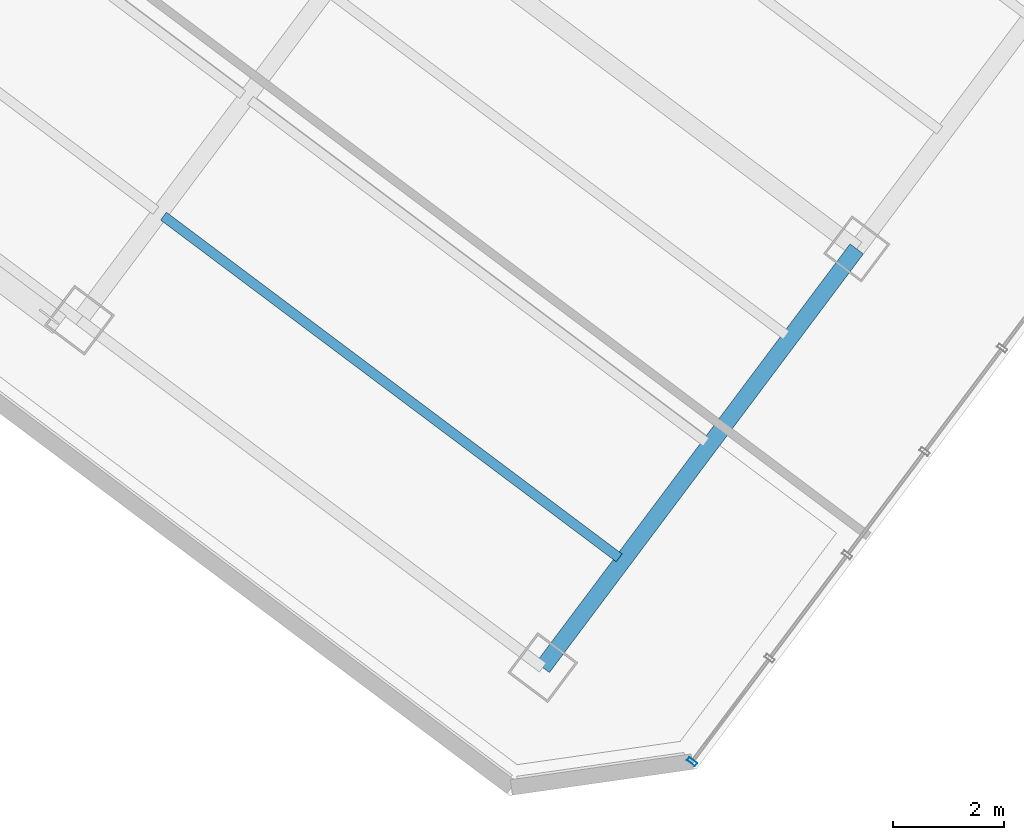
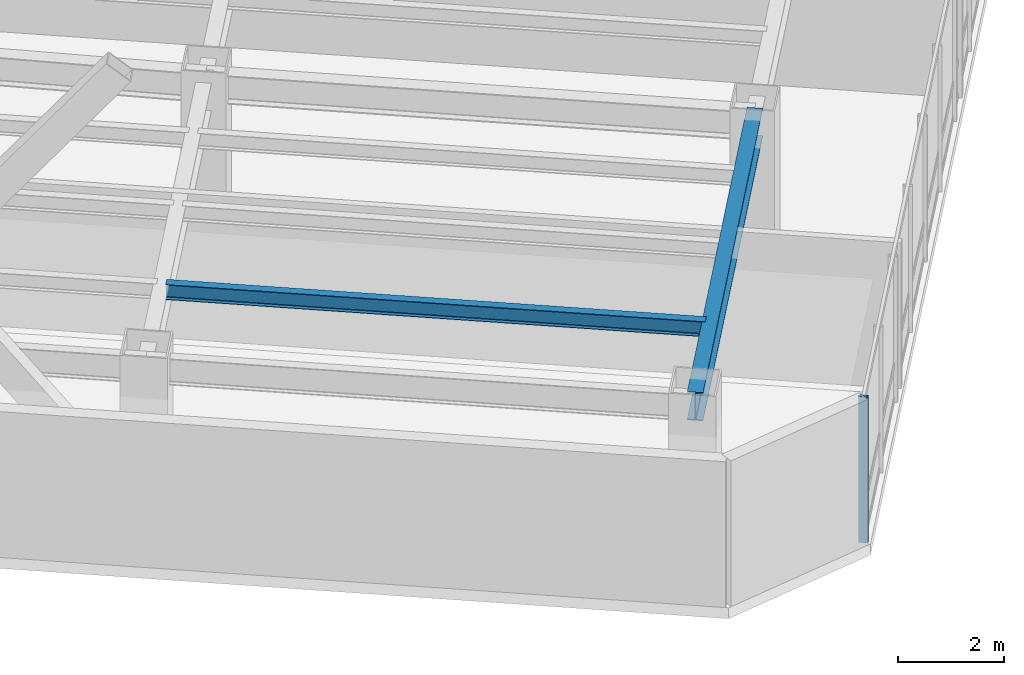
# One storey, part 6 of 29: 2 beams, 1 member, 1 element without a shape of its own.
"""IFC4 building model written with IfcOpenShell, lengths in metres."""

from ifc_helpers import new_model, si_unit, direction, frame, origin, origin_2d, place, context, subcontext, project, spatial, hollow_rectangle, i_section, extrude, material, layer, layer_set, material_profile, profile_set, type_object, element, aggregate, save


model = new_model("IFC4")

# Units and contexts
model_context = context("Model", 3, precision=1e-05, world=origin(), true_north=direction((0.0, 1.0)))
body_context = subcontext(model_context, "Body", "Model", "MODEL_VIEW")
ifc_project = project(units=[si_unit("LENGTHUNIT", "METRE"), si_unit("AREAUNIT", "SQUARE_METRE"), si_unit("VOLUMEUNIT", "CUBIC_METRE"), si_unit("PLANEANGLEUNIT", "RADIAN"), si_unit("MASSUNIT", "GRAM", prefix="KILO")], contexts=[model_context])

# Site, building, storey
site_placement = place(None, origin())
site = spatial("IfcSite", under=ifc_project, at=site_placement, CompositionType="ELEMENT")
building_placement = place(site_placement, origin())
building = spatial("IfcBuilding", under=site, at=building_placement, Name="Hatsunagi Terrace Concourse", CompositionType="ELEMENT")
storey_placement = place(building_placement, frame((0.0, 0.0, 119.25)))
storey = spatial("IfcBuildingStorey", under=building, at=storey_placement, Name="L31", CompositionType="ELEMENT", Elevation=119.25)

# Curtain wall, member
ifc_material_1 = material(Name="Anodised Aluminium Alloy 6063-T5", Category="aluminium")
ifc_layer = layer(ifc_material_1, 0.199951171875)
ifc_layer_set = layer_set([ifc_layer], Name="OfficeZone1_CW03")
curtain_wall_type = type_object("IfcCurtainWallType", Name="OfficeZone1_CW03", PredefinedType="NOTDEFINED", material=ifc_layer_set)
curtain_wall_placement = place(storey_placement, origin())
curtain_wall = element("IfcCurtainWall", 1, at=curtain_wall_placement, inside=storey, type_object=curtain_wall_type, Name="Unitised Curtain Wall CW-03 CW-L31-03", PredefinedType="NOTDEFINED")
ifc_material_2 = material(Name="Anodised Aluminium Alloy 6063-T5", Category="aluminium")
ifc_material_profile_1 = material_profile(ifc_material_2, hollow_rectangle(XDim=0.070068359375, YDim=0.179931640625, WallThickness=0.00390625, at=origin_2d()), Name="ALU-MUL-180x70x4")
ifc_profile_set_1 = profile_set([ifc_material_profile_1], Name="Anodised Aluminium Alloy 6063-T5")
member_type = type_object("IfcMemberType", Name="CurtainWallMullion_180x70", PredefinedType="MULLION", material=ifc_profile_set_1)
member_placement = place(storey_placement, frame((56.56298828125, 2.949951171875, 0.0), z_axis=(0.0, 0.0, 1.0), x_axis=(-0.599969314634, -0.800023013105, 0.0)))
member = element("IfcMember", 2, at=member_placement, type_object=member_type, Name="Curtain Wall Mullion MUL-02", PredefinedType="MULLION", context=body_context, shape_type="SweptSolid", body=[
    extrude(hollow_rectangle(XDim=0.070068359375, YDim=0.179931640625, WallThickness=0.00390625, at=origin_2d()), origin(), (0.0, 0.0, 1.0), 3.35009765625),
])
aggregate(curtain_wall, [member])

# Beams
ifc_material_3 = material(Name="Steel SN490B", Category="steel")
ifc_material_profile_2 = material_profile(ifc_material_3, i_section(OverallWidth=0.175048828125, OverallDepth=0.35009765625, WebThickness=0.007080078125, FlangeThickness=0.010986328125, FilletRadius=0.012939453125, at=origin_2d()), Name="H-350x175x7x11")
ifc_profile_set_2 = profile_set([ifc_material_profile_2], Name="Steel SN490B")
beam_type_1 = type_object("IfcBeamType", Name="HotelJoist_H_350x175", PredefinedType="JOIST", material=ifc_profile_set_2)
beam_1_placement = place(storey_placement, frame((47.068115234375, 12.7490234375, 3.175048828125), z_axis=(0.799997136125, -0.600003818481, 0.0), x_axis=(0.600003818481, 0.799997136125, 0.0)))
element("IfcBeam", 3, at=beam_1_placement, inside=storey, type_object=beam_type_1, Name="Beam J-02 J-L31-SE-3-46", PredefinedType="JOIST", context=body_context, shape_type="SweptSolid", body=[
    extrude(i_section(OverallWidth=0.175048828125, OverallDepth=0.35009765625, WebThickness=0.007080078125, FlangeThickness=0.010986328125, FilletRadius=0.012939453125, at=origin_2d()), origin(), (0.0, 0.0, 1.0), 10.229736328125),
])
ifc_material_4 = material(Name="Steel SN490B", Category="steel")
ifc_material_profile_3 = material_profile(ifc_material_4, i_section(OverallWidth=0.300048828125, OverallDepth=0.64990234375, WebThickness=0.012939453125, FlangeThickness=0.02197265625, FilletRadius=0.01806640625, at=origin_2d()), Name="H-650x300x13x22")
ifc_profile_set_3 = profile_set([ifc_material_profile_3], Name="Steel SN490B")
beam_type_2 = type_object("IfcBeamType", Name="OfficeLowGirder_H_650x300", PredefinedType="BEAM", material=ifc_profile_set_3)
beam_2_placement = place(storey_placement, frame((53.8798828125, 4.639892578125, 3.02490234375), z_axis=(0.600008311051, 0.799993766644, 0.0), x_axis=(-0.799993766644, 0.600008311051, 0.0)))
element("IfcBeam", 4, at=beam_2_placement, inside=storey, type_object=beam_type_2, Name="Beam G-05 BM-L31-SET-3A", PredefinedType="BEAM", context=body_context, shape_type="SweptSolid", body=[
    extrude(i_section(OverallWidth=0.300048828125, OverallDepth=0.64990234375, WebThickness=0.012939453125, FlangeThickness=0.02197265625, FilletRadius=0.01806640625, at=origin_2d()), origin(), (0.0, 0.0, 1.0), 9.400146484375),
])

save(model, "model.ifc")
